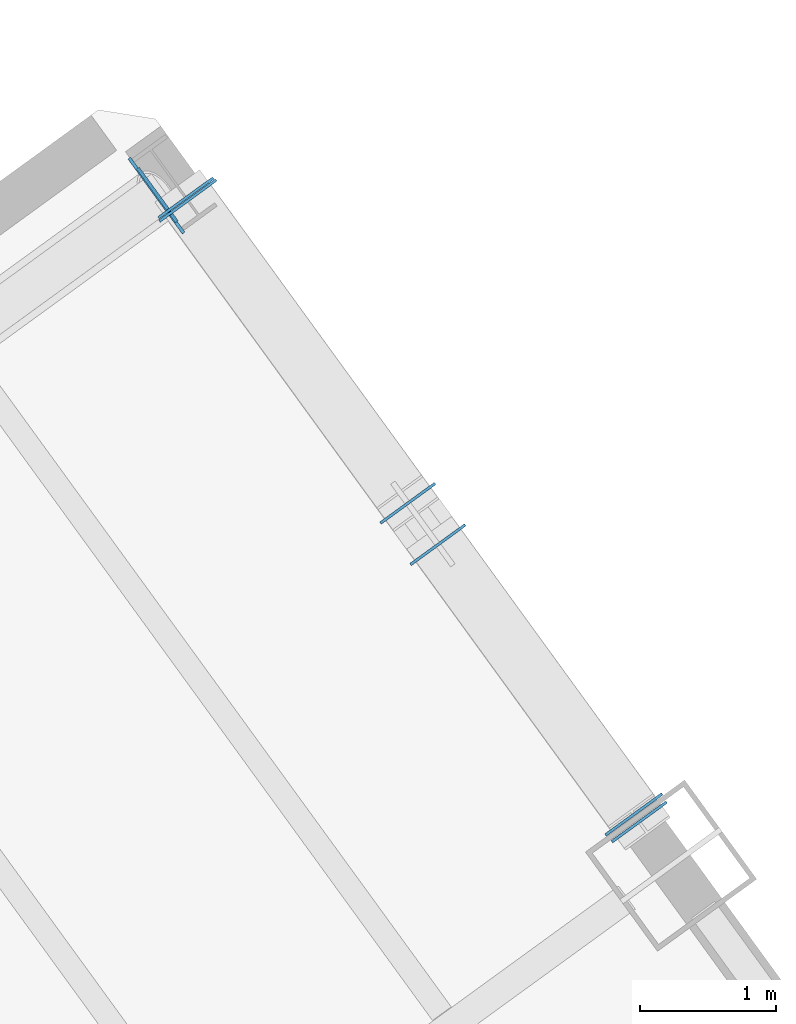
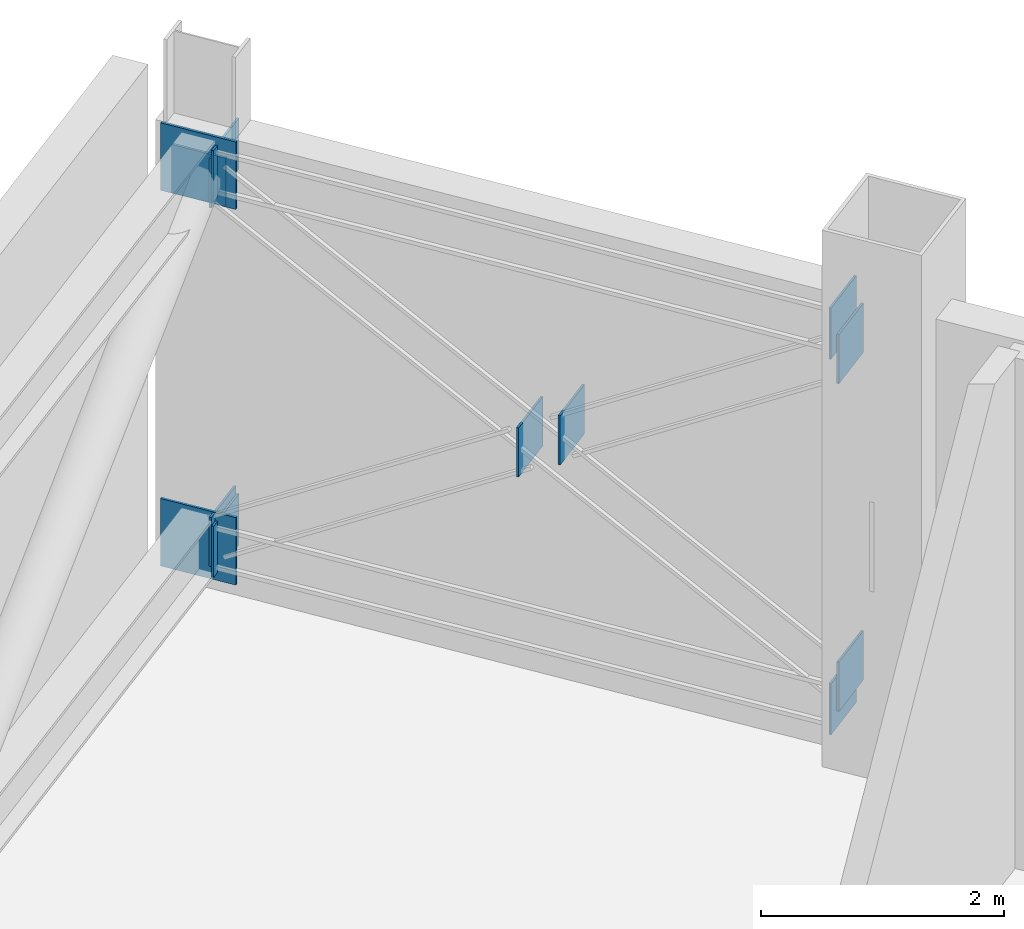
# One storey, part 13 of 21: 13 plates.
"""IFC4 building model written with IfcOpenShell, lengths in metres."""

from ifc_helpers import new_model, si_unit, direction, frame, origin, origin_2d, place, context, subcontext, project, spatial, rectangle, extrude, source, transform, mapped, material, layer, layer_set, type_object, element, save


model = new_model("IFC4")

# Units and contexts
model_context = context("Model", 3, precision=1e-05, world=origin(), true_north=direction((0.0, 1.0)))
body_context = subcontext(model_context, "Body", "Model", "MODEL_VIEW")
ifc_project = project(units=[si_unit("LENGTHUNIT", "METRE"), si_unit("AREAUNIT", "SQUARE_METRE"), si_unit("VOLUMEUNIT", "CUBIC_METRE"), si_unit("PLANEANGLEUNIT", "RADIAN"), si_unit("MASSUNIT", "GRAM", prefix="KILO")], contexts=[model_context])

# Site, building, storey
site_placement = place(None, origin())
site = spatial("IfcSite", under=ifc_project, at=site_placement, CompositionType="ELEMENT")
building_placement = place(site_placement, origin())
building = spatial("IfcBuilding", under=site, at=building_placement, Name="Tlacorven Tower", CompositionType="ELEMENT")
storey_placement = place(building_placement, frame((0.0, 0.0, 84.60009765625)))
storey = spatial("IfcBuildingStorey", under=building, at=storey_placement, Name="L21", CompositionType="ELEMENT", Elevation=84.60009765625)

# Plates
ifc_material = material(Name="Steel S460M", Category="steel")
ifc_layer_1 = layer(ifc_material, 0.02001953125)
ifc_layer_set_1 = layer_set([ifc_layer_1], Name="Steel S460M")
plate_type_1 = type_object("IfcPlateType", Name="PL-CAP-END2", PredefinedType="USERDEFINED", material=ifc_layer_set_1)
shared_shape_1 = source(origin(), body_context, "Body", "SweptSolid", [
    extrude(rectangle(XDim=0.02001953125, YDim=0.514892578125, at=origin_2d()), origin(), (0.0, 0.0, 1.0), 0.514892578125),
])
for number, where, z_axis, x_axis, name in (
    (1, (58.412841796875, 35.541259765625, 0.1923828125), (0.0, 0.0, 1.0), (-0.587785122657, 0.809017088561, 0.0), "L21 hollow end cap plate OUT-L21-E2-B 1"),
    (2, (55.138671875, 40.047607421875, 0.1923828125), (0.0, 0.0, 1.0), (-0.587785122657, 0.809017088561, 0.0), "L21 hollow end cap plate OUT-L21-E2-B 2"),
    (3, (58.412841796875, 35.541259765625, 3.97265625), (0.0, 0.0, 1.0), (-0.587785122657, 0.809017088561, 0.0), "L21 hollow end cap plate OUT-L21-E2-T 1"),
    (4, (55.138671875, 40.047607421875, 3.97265625), (0.0, 0.0, 1.0), (-0.587785122657, 0.809017088561, 0.0), "L21 hollow end cap plate OUT-L21-E2-T 2"),
):
    element("IfcPlate", number, at=place(storey_placement, frame(where, z_axis=z_axis, x_axis=x_axis)), inside=storey, type_object=plate_type_1, Name=name, ObjectType="END PLATE", PredefinedType="USERDEFINED", context=body_context, shape_type="MappedRepresentation", body=[
        mapped(shared_shape_1, transform((0.0, 0.0, 0.0), scale=1.0)),
    ])
shared_shape_2 = source(origin(), body_context, "Body", "SweptSolid", [
    extrude(rectangle(XDim=0.02001953125, YDim=0.49609375, at=origin_2d()), origin(), (0.0, 0.0, 1.0), 0.49609375),
])
for number, where, z_axis, x_axis, name in (
    (5, (58.45263671875, 35.486328125, 0.44384765625), (0.0, 0.0, 1.0), (-0.587785055643, 0.809017137249, 0.0), "L21 hollow end cap plate OUT-L21-E2-D1 1"),
    (6, (55.12451171875, 40.067138671875, 3.89599609375), (0.0, 0.0, 1.0), (-0.587785055643, 0.809017137249, 0.0), "L21 hollow end cap plate OUT-L21-E2-D1 2"),
    (7, (58.45263671875, 35.486328125, 3.73974609375), (0.0, 0.0, 1.0), (-0.587784560553, 0.809017496953, 0.0), "L21 hollow end cap plate OUT-L21-E2-D2A 1"),
    (8, (56.974365234375, 37.521240234375, 2.206298828125), (0.0, 0.0, 1.0), (-0.587784560553, 0.809017496953, 0.0), "L21 hollow end cap plate OUT-L21-E2-D2A 2"),
    (9, (56.75341796875, 37.8251953125, 1.977294921875), (0.0, 0.0, 1.0), (-0.587785472805, 0.809016834163, 0.0), "L21 hollow end cap plate OUT-L21-E2-D2B 1"),
    (10, (55.12451171875, 40.067138671875, 0.287841796875), (0.0, 0.0, 1.0), (-0.587785472805, 0.809016834163, 0.0), "L21 hollow end cap plate OUT-L21-E2-D2B 2"),
):
    element("IfcPlate", number, at=place(storey_placement, frame(where, z_axis=z_axis, x_axis=x_axis)), inside=storey, type_object=plate_type_1, Name=name, ObjectType="END PLATE", PredefinedType="USERDEFINED", context=body_context, shape_type="MappedRepresentation", body=[
        mapped(shared_shape_2, transform((0.0, 0.0, 0.0), scale=1.0)),
    ])
ifc_layer_2 = layer(ifc_material, 0.02392578125)
ifc_layer_set_2 = layer_set([ifc_layer_2], Name="Steel S460M")
plate_type_2 = type_object("IfcPlateType", Name="PL-CAP-END1", PredefinedType="USERDEFINED", material=ifc_layer_set_2)
shared_shape_3 = source(origin(), body_context, "Body", "SweptSolid", [
    extrude(rectangle(XDim=0.02392578125, YDim=0.679931640625, at=origin_2d()), origin(), (0.0, 0.0, 1.0), 0.679931640625),
])
for number, where, z_axis, x_axis, name in (
    (11, (54.908203125, 40.084228515625, 0.10986328125), (0.0, 0.0, 1.0), (0.80901700447, 0.587785238398, 0.0), "L21 hollow end cap plate BLT-L21-E1-B 2"),
    (12, (54.908203125, 40.084228515625, 3.89013671875), (0.0, 0.0, 1.0), (0.80901700447, 0.587785238398, 0.0), "L21 hollow end cap plate BLT-L21-E1-T 2"),
):
    element("IfcPlate", number, at=place(storey_placement, frame(where, z_axis=z_axis, x_axis=x_axis)), inside=storey, type_object=plate_type_2, Name=name, ObjectType="END PLATE", PredefinedType="USERDEFINED", context=body_context, shape_type="MappedRepresentation", body=[
        mapped(shared_shape_3, transform((0.0, 0.0, 0.0), scale=1.0)),
    ])
shared_shape_4 = source(origin(), body_context, "Body", "SweptSolid", [
    extrude(rectangle(XDim=0.02392578125, YDim=0.486328125, at=origin_2d()), origin(), (0.0, 0.0, 1.0), 0.486328125),
])
plate_placement = place(storey_placement, frame((54.9150390625, 40.089111328125, 3.88818359375), z_axis=(0.0, 0.0, 1.0), x_axis=(0.809016912294, 0.587785365267, 0.0)))
element("IfcPlate", 13, at=plate_placement, inside=storey, type_object=plate_type_2, Name="L21 hollow end cap plate BLT-L21-E1-D1 2", ObjectType="END PLATE", PredefinedType="USERDEFINED", context=body_context, shape_type="MappedRepresentation", body=[
    mapped(shared_shape_4, transform((0.0, 0.0, 0.0), scale=1.0)),
])

save(model, "model.ifc")
